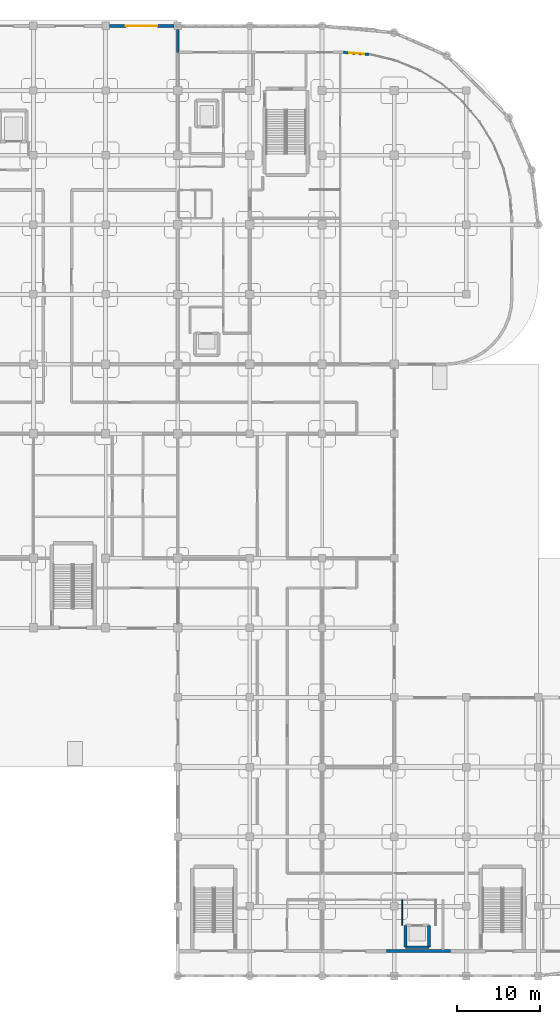
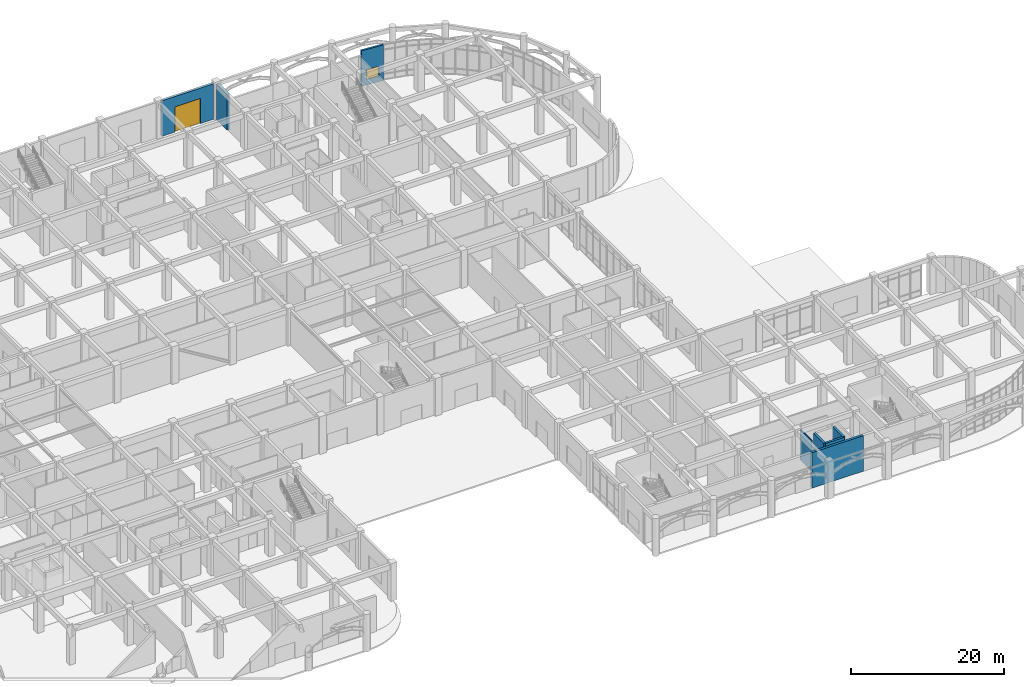
# One storey, part 69 of 82: 8 walls, 1 door, 1 window, 2 openings.
"""IFC4 building model written with IfcOpenShell, lengths in metres."""

from ifc_helpers import new_model, si_unit, derived_unit, direction, frame, frame_2d, origin, place, context, subcontext, project, spatial, rectangle, extrude, material, layer, layer_set, type_object, element, fill, save


model = new_model("IFC4")

# Units and contexts
model_context = context("Model", 3, precision=1e-05, world=origin(), true_north=direction((0.0, 1.0)))
body_context = subcontext(model_context, "Body", "Model", "MODEL_VIEW")
ifc_project = project(units=[si_unit("LENGTHUNIT", "METRE"), si_unit("AREAUNIT", "SQUARE_METRE"), si_unit("VOLUMEUNIT", "CUBIC_METRE"), si_unit("PLANEANGLEUNIT", "RADIAN"), si_unit("MASSUNIT", "GRAM", prefix="KILO"), derived_unit("THERMALTRANSMITTANCEUNIT", [(si_unit("MASSUNIT", "GRAM", prefix="KILO"), 1), (si_unit("TIMEUNIT", "SECOND"), -3), (si_unit("THERMODYNAMICTEMPERATUREUNIT", "KELVIN"), -1)])], contexts=[model_context])

# Site, building, storey
site_placement = place(None, origin())
site = spatial("IfcSite", under=ifc_project, at=site_placement, CompositionType="ELEMENT")
building_placement = place(site_placement, origin())
building = spatial("IfcBuilding", under=site, at=building_placement, Name="Qinzheling Arcade Emporium", CompositionType="ELEMENT")
storey_placement = place(building_placement, origin())
storey = spatial("IfcBuildingStorey", under=building, at=storey_placement, Name="L01", CompositionType="ELEMENT", Elevation=0.0)

# Wall, opening, door
ifc_material_1 = material(Name="Fluted granite ashlar on Concrete C40", Category="masonry")
ifc_layer_1 = layer(ifc_material_1, 0.35009765625, Name="Fluted granite ashlar on Concrete C40", Category="masonry")
ifc_layer_set_1 = layer_set([ifc_layer_1], Name="Fluted granite ashlar on Concrete C40")
wall_type_1 = type_object("IfcWallType", Name="Fluted Granite Logistics Wall 350", PredefinedType="STANDARD", material=ifc_layer_set_1)
wall_1_placement = place(storey_placement, frame((96.152099609375, 114.60009765625, 0.0), z_axis=(0.0, 0.0, 1.0), x_axis=(1.0, 0.0, 0.0)))
wall_1 = element("IfcWall", 1, at=wall_1_placement, inside=storey, type_object=wall_type_1, Name="Exterior Wall WL-L01-EW-0058", PredefinedType="STANDARD", context=body_context, shape_type="SweptSolid", body=[
    extrude(rectangle(XDim=7.7958984375, YDim=0.35009765625, at=frame_2d((3.89794921875, 0.0))), origin(), (0.0, 0.0, 1.0), 5.659912109375),
])
opening_1_placement = place(wall_1_placement, frame((1.998046875, 0.0, 0.0)))
opening_1 = element("IfcOpeningElement", 2, at=opening_1_placement, cuts=wall_1, Name="Opening DG01", PredefinedType="OPENING", context=body_context, shape_type="SweptSolid", body=[
    extrude(rectangle(XDim=3.800048828125, YDim=4.0, at=frame_2d((1.89990234375, 2.0))), frame((0.0, 0.18505859375, 0.0), z_axis=(0.0, -1.0, 0.0), x_axis=(1.0, 0.0, 0.0)), (0.0, 0.0, 1.0), 0.3701171875),
])
ifc_material_2 = material(Name="Insulated galvanised steel roller shutter", Category="steel")
door_type = type_object("IfcDoorType", Name="North Loading Dock Heavy Roller Gate 3800x4000", OperationType="ROLLINGUP", PredefinedType="GATE", material=ifc_material_2)
door_placement = place(opening_1_placement, origin())
door = element("IfcDoor", 3, at=door_placement, inside=storey, type_object=door_type, Name="DG01 Exterior Door DR-L01-EXT-027", OperationType="ROLLINGUP", OverallHeight=4.0, OverallWidth=3.800048828125, PredefinedType="GATE", context=body_context, shape_type="SweptSolid", body=[
    extrude(rectangle(XDim=3.800048828125, YDim=4.0, at=frame_2d((1.89990234375, 2.0))), frame((0.0, 0.02490234375, 0.0), z_axis=(0.0, -1.0, 0.0), x_axis=(1.0, 0.0, 0.0)), (0.0, 0.0, 1.0), 0.050048828125),
])
fill(opening_1, door)

# Walls
wall_2_placement = place(storey_placement, frame((104.39990234375, 114.14794921875, 0.0), z_axis=(0.0, 0.0, 1.0), x_axis=(0.0, -1.0, 0.0)))
element("IfcWall", 4, at=wall_2_placement, inside=storey, type_object=wall_type_1, Name="Exterior Wall WL-L01-EW-0059", PredefinedType="STANDARD", context=body_context, shape_type="SweptSolid", body=[
    extrude(rectangle(XDim=2.748046875, YDim=0.35009765625, at=frame_2d((1.3740234375, 0.0))), origin(), (0.0, 0.0, 1.0), 5.659912109375),
])
ifc_material_3 = material(Name="Glazed cream terracotta on Concrete C40", Category="masonry")
ifc_layer_2 = layer(ifc_material_3, 0.360107421875, Name="Glazed cream terracotta on Concrete C40", Category="masonry")
ifc_layer_set_2 = layer_set([ifc_layer_2], Name="Glazed cream terracotta on Concrete C40")
wall_type_2 = type_object("IfcWallType", Name="Glazed Terracotta Pier Wall 360", PredefinedType="STANDARD", material=ifc_layer_set_2)
wall_3_placement = place(storey_placement, frame((137.298095703125, 3.0, 0.0), z_axis=(0.0, 0.0, 1.0), x_axis=(-1.0, 0.0, 0.0)))
element("IfcWall", 5, at=wall_3_placement, inside=storey, type_object=wall_type_2, Name="Exterior Wall WL-L01-EW-0013", PredefinedType="STANDARD", context=body_context, shape_type="SweptSolid", body=[
    extrude(rectangle(XDim=7.74609375, YDim=0.360107421875, at=frame_2d((3.873046875, 0.0))), origin(), (0.0, 0.0, 1.0), 5.659912109375),
])

# Wall, opening, window
ifc_material_4 = material(Name="Buff glazed terracotta insulated wall", Category="masonry")
ifc_layer_3 = layer(ifc_material_4, 0.2900390625, Name="Buff glazed terracotta insulated wall", Category="masonry")
ifc_layer_set_3 = layer_set([ifc_layer_3], Name="Buff glazed terracotta insulated wall")
wall_type_3 = type_object("IfcWallType", Name="Office Bar Terracotta Wall 290", PredefinedType="STANDARD", material=ifc_layer_set_3)
wall_4_placement = place(storey_placement, frame((124.39990234375, 111.39990234375, 0.0), z_axis=(0.0, 0.0, 1.0), x_axis=(0.99691631769, -0.078472004713, 0.0)))
wall_4 = element("IfcWall", 6, at=wall_4_placement, inside=storey, type_object=wall_type_3, Name="Exterior Wall WL-L01-EW-0063", PredefinedType="STANDARD", context=body_context, shape_type="SweptSolid", body=[
    extrude(rectangle(XDim=3.185791015625, YDim=0.2900390625, at=frame_2d((1.5927734375, 0.0))), origin(), (0.0, 0.0, 1.0), 5.659912109375),
])
opening_2_placement = place(wall_4_placement, frame((0.693115234375, 0.0, 0.85009765625)))
opening_2 = element("IfcOpeningElement", 7, at=opening_2_placement, cuts=wall_4, Name="Opening WN62", PredefinedType="OPENING", context=body_context, shape_type="SweptSolid", body=[
    extrude(rectangle(XDim=1.800048828125, YDim=1.60009765625, at=frame_2d((0.89990234375, 0.800048828125))), frame((0.0, 0.155029296875, 0.0), z_axis=(0.0, -1.0, 0.0), x_axis=(1.0, 0.0, 0.0)), (0.0, 0.0, 1.0), 0.31005859375),
])
ifc_material_5 = material(Name="Thermally broken aluminium frame with solar-control double glazing", Category="aluminium")
window_type = type_object("IfcWindowType", Name="Chicago Tripartite Window 1800x1600", PartitioningType="TRIPLE_PANEL_VERTICAL", PredefinedType="WINDOW", material=ifc_material_5)
window_placement = place(opening_2_placement, origin())
window = element("IfcWindow", 8, at=window_placement, inside=storey, type_object=window_type, Name="WN62 Window WN-L01-0011", OverallHeight=1.60009765625, OverallWidth=1.800048828125, PartitioningType="TRIPLE_PANEL_VERTICAL", PredefinedType="WINDOW", context=body_context, shape_type="SweptSolid", body=[
    extrude(rectangle(XDim=1.800048828125, YDim=1.60009765625, at=frame_2d((0.89990234375, 0.800048828125))), frame((0.0, 0.030029296875, 0.0), z_axis=(0.0, -1.0, 0.0), x_axis=(1.0, 0.0, 0.0)), (0.0, 0.0, 1.0), 0.06005859375),
])
fill(opening_2, window)

# Walls
ifc_material_6 = material(Name="Concrete C40", Category="concrete")
ifc_layer_4 = layer(ifc_material_6, 0.35009765625, Name="Concrete C40", Category="concrete")
ifc_layer_set_4 = layer_set([ifc_layer_4], Name="Concrete C40")
wall_type_4 = type_object("IfcWallType", Name="RC Lift Shaft Shear Wall 350 C40", PredefinedType="SHEAR", material=ifc_layer_set_4)
wall_5_placement = place(storey_placement, frame((134.72509765625, 3.47509765625, 0.0), z_axis=(0.0, 0.0, 1.0), x_axis=(-1.0, 0.0, 0.0)))
element("IfcWall", 9, at=wall_5_placement, inside=storey, type_object=wall_type_4, Name="Lift Shaft Wall WL-L01-LFT-LP05-S", PredefinedType="SHEAR", context=body_context, shape_type="SweptSolid", body=[
    extrude(rectangle(XDim=2.85009765625, YDim=0.35009765625, at=frame_2d((1.425048828125, 0.0))), origin(), (0.0, 0.0, 1.0), 6.0),
])
for number, where, z_axis, x_axis, name in (
    (10, (131.875, 3.47509765625, 0.0), (0.0, 0.0, 1.0), (0.0, 1.0, 0.0), "Lift Shaft Wall WL-L01-LFT-LP05-W"),
    (11, (134.72509765625, 6.125, 0.0), (0.0, 0.0, 1.0), (0.0, -1.0, 0.0), "Lift Shaft Wall WL-L01-LFT-LP05-E"),
):
    element("IfcWall", number, at=place(storey_placement, frame(where, z_axis=z_axis, x_axis=x_axis)), inside=storey, type_object=wall_type_4, Name=name, PredefinedType="SHEAR", context=body_context, shape_type="SweptSolid", body=[
        extrude(rectangle(XDim=2.64990234375, YDim=0.35009765625, at=frame_2d((1.324951171875, 0.0))), origin(), (0.0, 0.0, 1.0), 6.0),
    ])
ifc_material_7 = material(Name="Moisture-resistant tea room partition")
ifc_layer_5 = layer(ifc_material_7, 0.1298828125, Name="Moisture-resistant tea room partition")
ifc_layer_set_5 = layer_set([ifc_layer_5], Name="Moisture-resistant tea room partition")
wall_type_5 = type_object("IfcWallType", Name="Tea Room Partition Wall 130", PredefinedType="PARTITIONING", material=ifc_layer_set_5)
wall_6_placement = place(storey_placement, frame((131.5, 6.1298828125, 0.0), z_axis=(0.0, 0.0, 1.0), x_axis=(0.0, 1.0, 0.0)))
element("IfcWall", 12, at=wall_6_placement, inside=storey, type_object=wall_type_5, Name="Interior Wall WL-L01-INT-0099", PredefinedType="PARTITIONING", context=body_context, shape_type="SweptSolid", body=[
    extrude(rectangle(XDim=3.070068359375, YDim=0.1298828125, at=frame_2d((1.53515625, 0.0))), origin(), (0.0, 0.0, 1.0), 4.89501953125),
])

save(model, "model.ifc")
